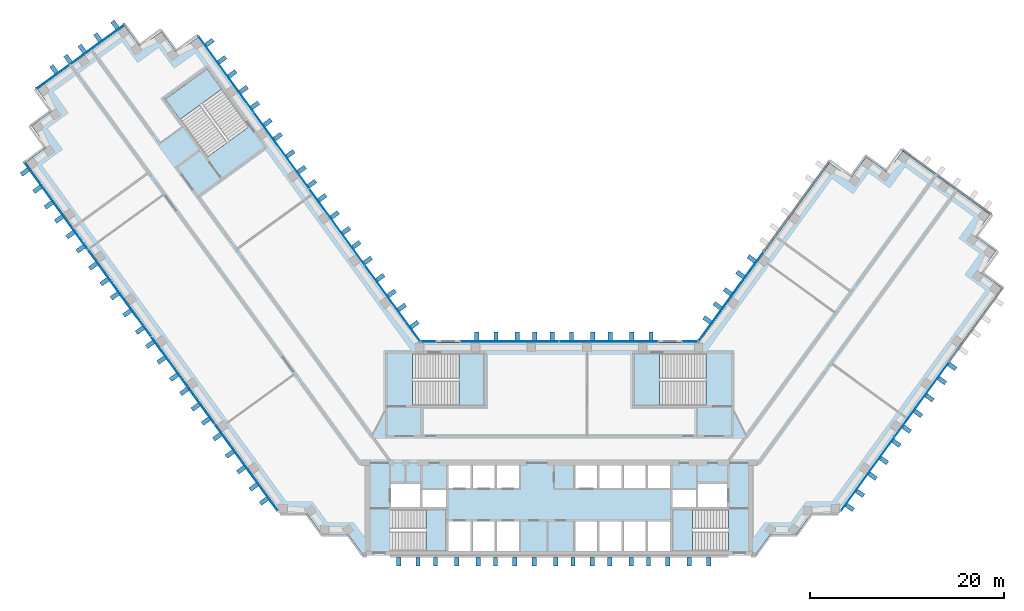
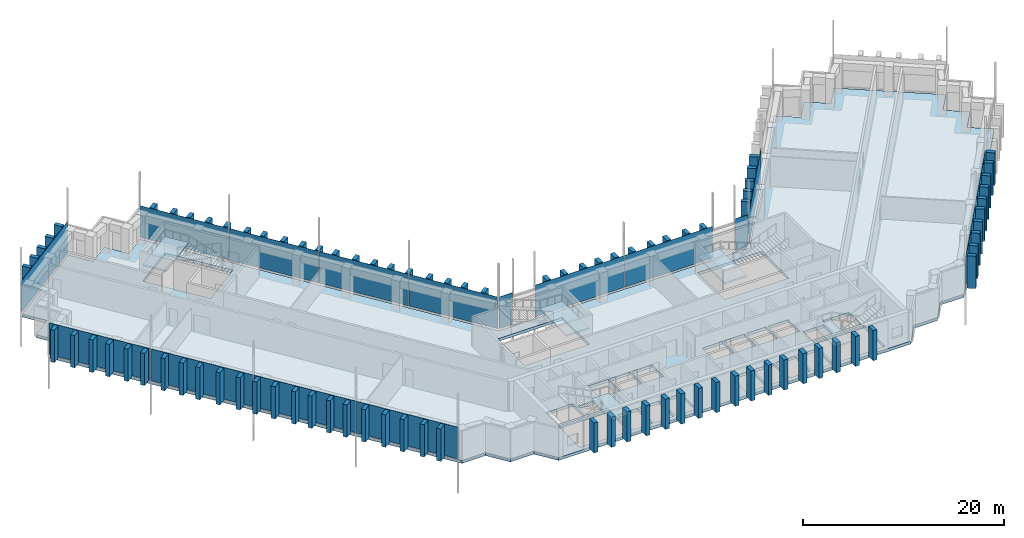
# One storey, part 7 of 16: 104 plates, 6 slabs, 13 elements without a shape of their own.
"""IFC4 building model written with IfcOpenShell, lengths in metres."""

from ifc_helpers import new_model, si_unit, direction, frame, origin, origin_2d, place, context, subcontext, project, spatial, polyline, rectangle, outline, extrude, material, layer, layer_set, type_object, element, aggregate, save


model = new_model("IFC4")

# Units and contexts
model_context = context("Model", 3, precision=1e-05, world=origin(), true_north=direction((0.0, 1.0)))
body_context = subcontext(model_context, "Body", "Model", "MODEL_VIEW")
ifc_project = project(units=[si_unit("LENGTHUNIT", "METRE"), si_unit("AREAUNIT", "SQUARE_METRE"), si_unit("VOLUMEUNIT", "CUBIC_METRE"), si_unit("PLANEANGLEUNIT", "RADIAN"), si_unit("MASSUNIT", "GRAM", prefix="KILO")], contexts=[model_context])

# Site, building, storey
site_placement = place(None, origin())
site = spatial("IfcSite", under=ifc_project, at=site_placement, CompositionType="ELEMENT")
building_placement = place(site_placement, origin())
building = spatial("IfcBuilding", under=site, at=building_placement, Name="Quipu Civic Tower", CompositionType="ELEMENT")
storey_placement = place(building_placement, frame((0.0, 0.0, 113.0)))
storey = spatial("IfcBuildingStorey", under=building, at=storey_placement, Name="L26", CompositionType="ELEMENT", Elevation=113.0)

# Slab
ifc_material_1 = material(Name="Concrete C40/50", Category="concrete")
ifc_layer_1 = layer(ifc_material_1, 0.35009765625)
ifc_layer_set_1 = layer_set([ifc_layer_1], Name="Concrete C40/50")
slab_type_1 = type_object("IfcSlabType", Name="Floor slab 350 C40/50", PredefinedType="FLOOR", material=ifc_layer_set_1)
slab_1_placement = place(storey_placement, frame((0.0, 0.0, -0.35009765625)))
element("IfcSlab", 1, at=slab_1_placement, inside=storey, type_object=slab_type_1, Name="Floor slab L26", PredefinedType="FLOOR", context=body_context, shape_type="SweptSolid", body=[
    extrude(outline(polyline([(27.909912109375, 29.60498046875), (30.094970703125, 28.014892578125), (31.68505859375, 30.199951171875), (33.864990234375, 28.614990234375), (35.455078125, 30.800048828125), (44.514892578125, 24.215087890625), (42.929931640625, 22.030029296875), (45.114990234375, 20.445068359375), (43.52490234375, 18.260009765625), (45.7099609375, 16.669921875), (28.780029296875, -6.6298828125), (26.080078125, -6.6298828125), (24.489990234375, -8.81494140625), (21.7900390625, -8.81494140625), (20.205078125, -11.0), (-20.205078125, -11.0), (-21.7900390625, -8.81494140625), (-24.489990234375, -8.81494140625), (-26.080078125, -6.6298828125), (-28.780029296875, -6.6298828125), (-55.114990234375, 29.614990234375), (-52.929931640625, 31.205078125), (-54.514892578125, 33.389892578125), (-52.3349609375, 34.97509765625), (-53.919921875, 37.159912109375), (-44.860107421875, 43.739990234375), (-43.27001953125, 41.56005859375), (-41.0849609375, 43.14501953125), (-39.5, 40.9599609375), (-37.31494140625, 42.550048828125), (-14.39501953125, 11.0), (14.39501953125, 11.0), (27.909912109375, 29.60498046875)]), holes=[polyline([(-11.449951171875, -7.5), (-11.449951171875, -10.5), (-9.14990234375, -10.5), (-9.14990234375, -7.5), (-11.449951171875, -7.5)]), polyline([(-8.949951171875, -7.5), (-8.949951171875, -10.5), (-6.64990234375, -10.5), (-6.64990234375, -7.5), (-8.949951171875, -7.5)]), polyline([(-6.449951171875, -7.5), (-6.449951171875, -10.5), (-4.14990234375, -10.5), (-4.14990234375, -7.5), (-6.449951171875, -7.5)]), polyline([(-11.705078125, -10.4951171875), (-11.705078125, -6.2548828125), (-17.4951171875, -6.2548828125), (-17.4951171875, -10.4951171875), (-11.705078125, -10.4951171875)]), polyline([(-11.699951171875, -4.25), (-14.10009765625, -4.25), (-14.10009765625, -6.0), (-11.699951171875, -6.0), (-11.699951171875, -4.25)]), polyline([(-17.35009765625, -3.60009765625), (-17.35009765625, -6.0), (-14.35009765625, -6.0), (-14.35009765625, -3.60009765625), (-17.35009765625, -3.60009765625)]), polyline([(-9.14990234375, -1.699951171875), (-11.449951171875, -1.699951171875), (-11.449951171875, -4.0), (-9.14990234375, -4.0), (-9.14990234375, -1.699951171875)]), polyline([(-6.64990234375, -1.699951171875), (-8.949951171875, -1.699951171875), (-8.949951171875, -4.0), (-6.64990234375, -4.0), (-6.64990234375, -1.699951171875)]), polyline([(-6.449951171875, -1.699951171875), (-6.449951171875, -4.0), (-4.14990234375, -4.0), (-4.14990234375, -1.699951171875), (-6.449951171875, -1.699951171875)]), polyline([(3.949951171875, -1.699951171875), (1.64990234375, -1.699951171875), (1.64990234375, -4.0), (3.949951171875, -4.0), (3.949951171875, -1.699951171875)]), polyline([(-7.7548828125, 4.5048828125), (-7.7548828125, 9.844970703125), (-15.14501953125, 9.844970703125), (-15.14501953125, 4.5048828125), (-7.7548828125, 4.5048828125)]), polyline([(-40.68505859375, 36.135009765625), (-36.344970703125, 30.159912109375), (-32.02490234375, 33.300048828125), (-36.364990234375, 39.27490234375), (-40.68505859375, 36.135009765625)]), polyline([(3.949951171875, -7.5), (1.64990234375, -7.5), (1.64990234375, -10.5), (3.949951171875, -10.5), (3.949951171875, -7.5)]), polyline([(6.449951171875, -7.5), (4.14990234375, -7.5), (4.14990234375, -10.5), (6.449951171875, -10.5), (6.449951171875, -7.5)]), polyline([(6.64990234375, -7.5), (6.64990234375, -10.5), (8.949951171875, -10.5), (8.949951171875, -7.5), (6.64990234375, -7.5)]), polyline([(11.449951171875, -7.5), (9.14990234375, -7.5), (9.14990234375, -10.5), (11.449951171875, -10.5), (11.449951171875, -7.5)]), polyline([(11.705078125, -6.2548828125), (11.705078125, -10.4951171875), (17.4951171875, -10.4951171875), (17.4951171875, -6.2548828125), (11.705078125, -6.2548828125)]), polyline([(11.699951171875, -4.25), (11.699951171875, -6.0), (14.10009765625, -6.0), (14.10009765625, -4.25), (11.699951171875, -4.25)]), polyline([(17.35009765625, -3.60009765625), (14.35009765625, -3.60009765625), (14.35009765625, -6.0), (17.35009765625, -6.0), (17.35009765625, -3.60009765625)]), polyline([(6.449951171875, -1.699951171875), (4.14990234375, -1.699951171875), (4.14990234375, -4.0), (6.449951171875, -4.0), (6.449951171875, -1.699951171875)]), polyline([(6.64990234375, -1.699951171875), (6.64990234375, -4.0), (8.949951171875, -4.0), (8.949951171875, -1.699951171875), (6.64990234375, -1.699951171875)]), polyline([(11.449951171875, -1.699951171875), (9.14990234375, -1.699951171875), (9.14990234375, -4.0), (11.449951171875, -4.0), (11.449951171875, -1.699951171875)]), polyline([(7.7548828125, 9.844970703125), (7.7548828125, 4.5048828125), (15.14501953125, 4.5048828125), (15.14501953125, 9.844970703125), (7.7548828125, 9.844970703125)])]), origin(), (0.0, 0.0, 1.0), 0.35009765625),
])

# Curtain wall, plates
ifc_material_2 = material(Name="Insulated glass unit", Category="glass")
curtain_wall_type = type_object("IfcCurtainWallType", Name="Office curtain wall CW1", PredefinedType="NOTDEFINED", material=ifc_material_2)
curtain_wall_1_placement = place(storey_placement, origin())
curtain_wall_1 = element("IfcCurtainWall", 2, at=curtain_wall_1_placement, inside=storey, type_object=curtain_wall_type, Name="Office curtain wall CW1 L25 run 1", PredefinedType="NOTDEFINED")
ifc_material_3 = material(Name="Insulated glass unit", Category="glass")
ifc_layer_2 = layer(ifc_material_3, 0.028076171875)
ifc_layer_set_2 = layer_set([ifc_layer_2], Name="Insulated glass unit")
plate_type_1 = type_object("IfcPlateType", Name="Glass panel CW1", PredefinedType="CURTAIN_PANEL", material=ifc_layer_set_2)
plate_1_placement = place(storey_placement, frame((-17.224609375, 15.064697265625, 0.16015625), z_axis=(0.0, 0.0, 1.0), x_axis=(-0.587785887566, 0.809016532822, 0.0)))
plate_1 = element("IfcPlate", 3, at=plate_1_placement, type_object=plate_type_1, Name="CW1 panel 1.2", PredefinedType="CURTAIN_PANEL", context=body_context, shape_type="SweptSolid", body=[
    extrude(rectangle(XDim=9.64111328125, YDim=0.028076171875, at=origin_2d()), origin(), (0.0, 0.0, 1.0), 3.840087890625),
])
plate_2_placement = place(storey_placement, frame((-22.950439453125, 22.9453125, 0.16015625), z_axis=(0.0, 0.0, 1.0), x_axis=(-0.587785887566, 0.809016532822, 0.0)))
plate_2 = element("IfcPlate", 4, at=plate_2_placement, type_object=plate_type_1, Name="CW1 panel 2.2", PredefinedType="CURTAIN_PANEL", context=body_context, shape_type="SweptSolid", body=[
    extrude(rectangle(XDim=9.68115234375, YDim=0.028076171875, at=origin_2d()), origin(), (0.0, 0.0, 1.0), 3.840087890625),
])
plate_3_placement = place(storey_placement, frame((-28.687744140625, 30.84228515625, 0.16015625), z_axis=(0.0, 0.0, 1.0), x_axis=(-0.587785887566, 0.809016532822, 0.0)))
plate_3 = element("IfcPlate", 5, at=plate_3_placement, type_object=plate_type_1, Name="CW1 panel 3.2", PredefinedType="CURTAIN_PANEL", context=body_context, shape_type="SweptSolid", body=[
    extrude(rectangle(XDim=9.68115234375, YDim=0.028076171875, at=origin_2d()), origin(), (0.0, 0.0, 1.0), 3.840087890625),
])
plate_4_placement = place(storey_placement, frame((-34.413330078125, 38.722900390625, 0.16015625), z_axis=(0.0, 0.0, 1.0), x_axis=(-0.587785887566, 0.809016532822, 0.0)))
plate_4 = element("IfcPlate", 6, at=plate_4_placement, type_object=plate_type_1, Name="CW1 panel 4.2", PredefinedType="CURTAIN_PANEL", context=body_context, shape_type="SweptSolid", body=[
    extrude(rectangle(XDim=9.64111328125, YDim=0.028076171875, at=origin_2d()), origin(), (0.0, 0.0, 1.0), 3.840087890625),
])
aggregate(curtain_wall_1, [plate_1, plate_2, plate_3, plate_4])

# Curtain wall, plate
curtain_wall_2_placement = place(storey_placement, origin())
curtain_wall_2 = element("IfcCurtainWall", 7, at=curtain_wall_2_placement, inside=storey, type_object=curtain_wall_type, Name="Office curtain wall CW1 L25 run 6", PredefinedType="NOTDEFINED")
plate_5_placement = place(storey_placement, frame((-49.447998046875, 40.53173828125, 0.16015625), z_axis=(0.0, 0.0, 1.0), x_axis=(-0.809019348124, -0.587782012621, 0.0)))
plate_5 = element("IfcPlate", 8, at=plate_5_placement, type_object=plate_type_1, Name="CW1 panel 1.2", PredefinedType="CURTAIN_PANEL", context=body_context, shape_type="SweptSolid", body=[
    extrude(rectangle(XDim=11.239990234375, YDim=0.028076171875, at=origin_2d()), origin(), (0.0, 0.0, 1.0), 3.840087890625),
])
aggregate(curtain_wall_2, [plate_5])

# Curtain wall, plates
curtain_wall_3_placement = place(storey_placement, origin())
curtain_wall_3 = element("IfcCurtainWall", 9, at=curtain_wall_3_placement, inside=storey, type_object=curtain_wall_type, Name="Office curtain wall CW1 L25 run 11", PredefinedType="NOTDEFINED")
plate_6_placement = place(storey_placement, frame((-51.967529296875, 25.114990234375, 0.16015625), z_axis=(0.0, 0.0, 1.0), x_axis=(0.587785559869, -0.809016770908, 0.0)))
plate_6 = element("IfcPlate", 10, at=plate_6_placement, type_object=plate_type_1, Name="CW1 panel 1.2", PredefinedType="CURTAIN_PANEL", context=body_context, shape_type="SweptSolid", body=[
    extrude(rectangle(XDim=11.022705078125, YDim=0.028076171875, at=origin_2d()), origin(), (0.0, 0.0, 1.0), 3.840087890625),
])
plate_7_placement = place(storey_placement, frame((-45.4296875, 16.11669921875, 0.16015625), z_axis=(0.0, 0.0, 1.0), x_axis=(0.587785559869, -0.809016770908, 0.0)))
plate_7 = element("IfcPlate", 11, at=plate_7_placement, type_object=plate_type_1, Name="CW1 panel 2.2", PredefinedType="CURTAIN_PANEL", context=body_context, shape_type="SweptSolid", body=[
    extrude(rectangle(XDim=11.062744140625, YDim=0.028076171875, at=origin_2d()), origin(), (0.0, 0.0, 1.0), 3.840087890625),
])
plate_8_placement = place(storey_placement, frame((-38.880126953125, 7.101806640625, 0.16015625), z_axis=(0.0, 0.0, 1.0), x_axis=(0.587785559869, -0.809016770908, 0.0)))
plate_8 = element("IfcPlate", 12, at=plate_8_placement, type_object=plate_type_1, Name="CW1 panel 3.2", PredefinedType="CURTAIN_PANEL", context=body_context, shape_type="SweptSolid", body=[
    extrude(rectangle(XDim=11.062744140625, YDim=0.028076171875, at=origin_2d()), origin(), (0.0, 0.0, 1.0), 3.840087890625),
])
plate_9_placement = place(storey_placement, frame((-32.342529296875, -1.896484375, 0.16015625), z_axis=(0.0, 0.0, 1.0), x_axis=(0.587785559869, -0.809016770908, 0.0)))
plate_9 = element("IfcPlate", 13, at=plate_9_placement, type_object=plate_type_1, Name="CW1 panel 4.2", PredefinedType="CURTAIN_PANEL", context=body_context, shape_type="SweptSolid", body=[
    extrude(rectangle(XDim=11.022705078125, YDim=0.028076171875, at=origin_2d()), origin(), (0.0, 0.0, 1.0), 3.840087890625),
])
aggregate(curtain_wall_3, [plate_6, plate_7, plate_8, plate_9])

curtain_wall_4_placement = place(storey_placement, origin())
curtain_wall_4 = element("IfcCurtainWall", 14, at=curtain_wall_4_placement, inside=storey, type_object=curtain_wall_type, Name="Office curtain wall CW1 L25 run 23", PredefinedType="NOTDEFINED")
plate_10_placement = place(storey_placement, frame((31.86669921875, -2.551513671875, 0.16015625), z_axis=(0.0, 0.0, 1.0), x_axis=(0.587785375786, 0.809016904652, 0.0)))
plate_10 = element("IfcPlate", 15, at=plate_10_placement, type_object=plate_type_1, Name="CW1 panel 1.2", PredefinedType="CURTAIN_PANEL", context=body_context, shape_type="SweptSolid", body=[
    extrude(rectangle(XDim=9.403564453125, YDim=0.028076171875, at=origin_2d()), origin(), (0.0, 0.0, 1.0), 3.840087890625),
])
plate_11_placement = place(storey_placement, frame((37.45263671875, 5.13720703125, 0.16015625), z_axis=(0.0, 0.0, 1.0), x_axis=(0.587785375786, 0.809016904652, 0.0)))
plate_11 = element("IfcPlate", 16, at=plate_11_placement, type_object=plate_type_1, Name="CW1 panel 2.2", PredefinedType="CURTAIN_PANEL", context=body_context, shape_type="SweptSolid", body=[
    extrude(rectangle(XDim=9.443603515625, YDim=0.028076171875, at=origin_2d()), origin(), (0.0, 0.0, 1.0), 3.840087890625),
])
aggregate(curtain_wall_4, [plate_10, plate_11])

# Curtain wall, plate
curtain_wall_5_placement = place(storey_placement, origin())
curtain_wall_5 = element("IfcCurtainWall", 17, at=curtain_wall_5_placement, inside=storey, type_object=curtain_wall_type, Name="Office curtain wall CW1 L25 run 30", PredefinedType="NOTDEFINED")
plate_12_placement = place(storey_placement, frame((17.7421875, 15.777099609375, 0.16015625), z_axis=(0.0, 0.0, 1.0), x_axis=(-0.587788727052, -0.809014469803, 0.0)))
plate_12 = element("IfcPlate", 18, at=plate_12_placement, type_object=plate_type_1, Name="CW1 panel 2.2", PredefinedType="CURTAIN_PANEL", context=body_context, shape_type="SweptSolid", body=[
    extrude(rectangle(XDim=11.402099609375, YDim=0.028076171875, at=origin_2d()), origin(), (0.0, 0.0, 1.0), 3.840087890625),
])
aggregate(curtain_wall_5, [plate_12])

curtain_wall_6_placement = place(storey_placement, origin())
curtain_wall_6 = element("IfcCurtainWall", 19, at=curtain_wall_6_placement, inside=storey, type_object=curtain_wall_type, Name="Office curtain wall CW1 L25 run 31", PredefinedType="NOTDEFINED")
plate_13_placement = place(storey_placement, frame((13.49951171875, 11.10009765625, 0.16015625), z_axis=(0.0, 0.0, 1.0), x_axis=(-1.0, 0.0, 0.0)))
plate_13 = element("IfcPlate", 20, at=plate_13_placement, type_object=plate_type_1, Name="CW1 panel 1.2", PredefinedType="CURTAIN_PANEL", context=body_context, shape_type="SweptSolid", body=[
    extrude(rectangle(XDim=1.529296875, YDim=0.028076171875, at=origin_2d()), origin(), (0.0, 0.0, 1.0), 3.840087890625),
])
aggregate(curtain_wall_6, [plate_13])

# Curtain wall, plates
curtain_wall_7_placement = place(storey_placement, origin())
curtain_wall_7 = element("IfcCurtainWall", 21, at=curtain_wall_7_placement, inside=storey, type_object=curtain_wall_type, Name="Office curtain wall CW1 L25 run 33", PredefinedType="NOTDEFINED")
plate_14_placement = place(storey_placement, frame((5.11181640625, 11.10009765625, 0.16015625), z_axis=(0.0, 0.0, 1.0), x_axis=(-1.0, 0.0, 0.0)))
plate_14 = element("IfcPlate", 22, at=plate_14_placement, type_object=plate_type_1, Name="CW1 panel 1.2", PredefinedType="CURTAIN_PANEL", context=body_context, shape_type="SweptSolid", body=[
    extrude(rectangle(XDim=10.1435546875, YDim=0.028076171875, at=origin_2d()), origin(), (0.0, 0.0, 1.0), 3.840087890625),
])
plate_15_placement = place(storey_placement, frame((-5.11181640625, 11.10009765625, 0.16015625), z_axis=(0.0, 0.0, 1.0), x_axis=(-1.0, 0.0, 0.0)))
plate_15 = element("IfcPlate", 23, at=plate_15_placement, type_object=plate_type_1, Name="CW1 panel 2.2", PredefinedType="CURTAIN_PANEL", context=body_context, shape_type="SweptSolid", body=[
    extrude(rectangle(XDim=10.1435546875, YDim=0.028076171875, at=origin_2d()), origin(), (0.0, 0.0, 1.0), 3.840087890625),
])
aggregate(curtain_wall_7, [plate_14, plate_15])

# Curtain wall, plate
curtain_wall_8_placement = place(storey_placement, origin())
curtain_wall_8 = element("IfcCurtainWall", 24, at=curtain_wall_8_placement, inside=storey, type_object=curtain_wall_type, Name="Office curtain wall CW1 L25 run 35", PredefinedType="NOTDEFINED")
plate_16_placement = place(storey_placement, frame((-13.49951171875, 11.10009765625, 0.16015625), z_axis=(0.0, 0.0, 1.0), x_axis=(-1.0, 0.0, 0.0)))
plate_16 = element("IfcPlate", 25, at=plate_16_placement, type_object=plate_type_1, Name="CW1 panel 1.2", PredefinedType="CURTAIN_PANEL", context=body_context, shape_type="SweptSolid", body=[
    extrude(rectangle(XDim=1.529296875, YDim=0.028076171875, at=origin_2d()), origin(), (0.0, 0.0, 1.0), 3.840087890625),
])
aggregate(curtain_wall_8, [plate_16])

# Plates
ifc_material_4 = material(Name="Precast concrete C40/50", Category="concrete")
plate_type_2 = type_object("IfcPlateType", Name="Precast fin F1", PredefinedType="SHEET", material=ifc_material_4)
for number, where, z_axis, x_axis, name in (
    (26, (-14.942138671875, 12.8583984375, 0.080078125), (0.0, 0.0, 1.0), (-0.587784944053, 0.809017218324, 0.0), "Precast fin F1 L26.P04.1"),
    (27, (-16.235107421875, 14.638427734375, 0.080078125), (0.0, 0.0, 1.0), (-0.587784944053, 0.809017218324, 0.0), "Precast fin F1 L26.P04.2"),
    (28, (-17.293212890625, 16.094482421875, 0.080078125), (0.0, 0.0, 1.0), (-0.587784944053, 0.809017218324, 0.0), "Precast fin F1 L26.P04.3"),
    (29, (-18.46875, 17.712646484375, 0.080078125), (0.0, 0.0, 1.0), (-0.587784944053, 0.809017218324, 0.0), "Precast fin F1 L26.P04.4"),
    (30, (-19.761962890625, 19.492431640625, 0.080078125), (0.0, 0.0, 1.0), (-0.587784944053, 0.809017218324, 0.0), "Precast fin F1 L26.P04.5"),
    (31, (-20.9375, 21.110595703125, 0.080078125), (0.0, 0.0, 1.0), (-0.587784944053, 0.809017218324, 0.0), "Precast fin F1 L26.P04.6"),
    (32, (-21.995361328125, 22.566650390625, 0.080078125), (0.0, 0.0, 1.0), (-0.587784944053, 0.809017218324, 0.0), "Precast fin F1 L26.P04.7"),
    (33, (-23.171142578125, 24.184814453125, 0.080078125), (0.0, 0.0, 1.0), (-0.587784944053, 0.809017218324, 0.0), "Precast fin F1 L26.P04.8"),
    (34, (-24.464111328125, 25.964599609375, 0.080078125), (0.0, 0.0, 1.0), (-0.587784944053, 0.809017218324, 0.0), "Precast fin F1 L26.P04.9"),
    (35, (-25.522216796875, 27.4208984375, 0.080078125), (0.0, 0.0, 1.0), (-0.587784944053, 0.809017218324, 0.0), "Precast fin F1 L26.P04.10"),
    (36, (-26.580078125, 28.876953125, 0.080078125), (0.0, 0.0, 1.0), (-0.587784944053, 0.809017218324, 0.0), "Precast fin F1 L26.P04.11"),
    (37, (-27.755859375, 30.4951171875, 0.080078125), (0.0, 0.0, 1.0), (-0.587784944053, 0.809017218324, 0.0), "Precast fin F1 L26.P04.12"),
    (38, (-29.048828125, 32.27490234375, 0.080078125), (0.0, 0.0, 1.0), (-0.587784944053, 0.809017218324, 0.0), "Precast fin F1 L26.P04.13"),
    (39, (-30.10693359375, 33.731201171875, 0.080078125), (0.0, 0.0, 1.0), (-0.587784944053, 0.809017218324, 0.0), "Precast fin F1 L26.P04.14"),
    (40, (-31.400146484375, 35.510986328125, 0.080078125), (0.0, 0.0, 1.0), (-0.587784944053, 0.809017218324, 0.0), "Precast fin F1 L26.P04.15"),
    (41, (-32.57568359375, 37.129150390625, 0.080078125), (0.0, 0.0, 1.0), (-0.587784944053, 0.809017218324, 0.0), "Precast fin F1 L26.P04.16"),
    (42, (-33.751220703125, 38.7470703125, 0.080078125), (0.0, 0.0, 1.0), (-0.587784944053, 0.809017218324, 0.0), "Precast fin F1 L26.P04.17"),
    (43, (-34.80908203125, 40.203369140625, 0.080078125), (0.0, 0.0, 1.0), (-0.587784944053, 0.809017218324, 0.0), "Precast fin F1 L26.P04.18"),
    (44, (-36.102294921875, 41.983154296875, 0.080078125), (0.0, 0.0, 1.0), (-0.587784944053, 0.809017218324, 0.0), "Precast fin F1 L26.P04.19"),
    (45, (-45.867919921875, 43.812744140625, 0.080078125), (0.0, 0.0, 1.0), (-0.809021318545, -0.587779300537, 0.0), "Precast fin F1 L26.P09.1"),
    (46, (-47.647705078125, 42.51953125, 0.080078125), (0.0, 0.0, 1.0), (-0.809021318545, -0.587779300537, 0.0), "Precast fin F1 L26.P09.2"),
    (47, (-49.265625, 41.343994140625, 0.080078125), (0.0, 0.0, 1.0), (-0.809021318545, -0.587779300537, 0.0), "Precast fin F1 L26.P09.3"),
    (48, (-50.721923828125, 40.2861328125, 0.080078125), (0.0, 0.0, 1.0), (-0.809021318545, -0.587779300537, 0.0), "Precast fin F1 L26.P09.4"),
    (49, (-52.17822265625, 39.22802734375, 0.080078125), (0.0, 0.0, 1.0), (-0.809021318545, -0.587779300537, 0.0), "Precast fin F1 L26.P09.5"),
    (50, (-55.184814453125, 28.607421875, 0.080078125), (0.0, 0.0, 1.0), (0.587785716149, -0.809016657363, 0.0), "Precast fin F1 L26.P14.1"),
    (51, (-53.8916015625, 26.82763671875, 0.080078125), (0.0, 0.0, 1.0), (0.587785716149, -0.809016657363, 0.0), "Precast fin F1 L26.P14.2"),
    (52, (-52.716064453125, 25.20947265625, 0.080078125), (0.0, 0.0, 1.0), (0.587785716149, -0.809016657363, 0.0), "Precast fin F1 L26.P14.3"),
    (53, (-51.657958984375, 23.75341796875, 0.080078125), (0.0, 0.0, 1.0), (0.587785716149, -0.809016657363, 0.0), "Precast fin F1 L26.P14.4"),
    (54, (-50.482421875, 22.13525390625, 0.080078125), (0.0, 0.0, 1.0), (0.587785716149, -0.809016657363, 0.0), "Precast fin F1 L26.P14.5"),
    (55, (-49.42431640625, 20.67919921875, 0.080078125), (0.0, 0.0, 1.0), (0.587785716149, -0.809016657363, 0.0), "Precast fin F1 L26.P14.6"),
    (56, (-48.13134765625, 18.899169921875, 0.080078125), (0.0, 0.0, 1.0), (0.587785716149, -0.809016657363, 0.0), "Precast fin F1 L26.P14.7"),
    (57, (-46.955810546875, 17.28125, 0.080078125), (0.0, 0.0, 1.0), (0.587785716149, -0.809016657363, 0.0), "Precast fin F1 L26.P14.8"),
    (58, (-45.897705078125, 15.824951171875, 0.080078125), (0.0, 0.0, 1.0), (0.587785716149, -0.809016657363, 0.0), "Precast fin F1 L26.P14.9"),
    (59, (-44.6044921875, 14.045166015625, 0.080078125), (0.0, 0.0, 1.0), (0.587785716149, -0.809016657363, 0.0), "Precast fin F1 L26.P14.10"),
    (60, (-43.3115234375, 12.265380859375, 0.080078125), (0.0, 0.0, 1.0), (0.587785716149, -0.809016657363, 0.0), "Precast fin F1 L26.P14.11"),
    (61, (-42.25341796875, 10.80908203125, 0.080078125), (0.0, 0.0, 1.0), (0.587785716149, -0.809016657363, 0.0), "Precast fin F1 L26.P14.12"),
    (62, (-41.077880859375, 9.191162109375, 0.080078125), (0.0, 0.0, 1.0), (0.587785716149, -0.809016657363, 0.0), "Precast fin F1 L26.P14.13"),
    (63, (-39.78466796875, 7.4111328125, 0.080078125), (0.0, 0.0, 1.0), (0.587785716149, -0.809016657363, 0.0), "Precast fin F1 L26.P14.14"),
    (64, (-38.726806640625, 5.955078125, 0.080078125), (0.0, 0.0, 1.0), (0.587785716149, -0.809016657363, 0.0), "Precast fin F1 L26.P14.15"),
    (65, (-37.55126953125, 4.3369140625, 0.080078125), (0.0, 0.0, 1.0), (0.587785716149, -0.809016657363, 0.0), "Precast fin F1 L26.P14.16"),
    (66, (-36.4931640625, 2.880615234375, 0.080078125), (0.0, 0.0, 1.0), (0.587785716149, -0.809016657363, 0.0), "Precast fin F1 L26.P14.17"),
    (67, (-35.317626953125, 1.2626953125, 0.080078125), (0.0, 0.0, 1.0), (0.587785716149, -0.809016657363, 0.0), "Precast fin F1 L26.P14.18"),
    (68, (-34.0244140625, -0.51708984375, 0.080078125), (0.0, 0.0, 1.0), (0.587785716149, -0.809016657363, 0.0), "Precast fin F1 L26.P14.19"),
    (69, (-32.848876953125, -2.13525390625, 0.080078125), (0.0, 0.0, 1.0), (0.587785716149, -0.809016657363, 0.0), "Precast fin F1 L26.P14.20"),
    (70, (-31.5556640625, -3.9150390625, 0.080078125), (0.0, 0.0, 1.0), (0.587785716149, -0.809016657363, 0.0), "Precast fin F1 L26.P14.21"),
    (71, (-30.497802734375, -5.371337890625, 0.080078125), (0.0, 0.0, 1.0), (0.587785716149, -0.809016657363, 0.0), "Precast fin F1 L26.P14.22"),
):
    element("IfcPlate", number, at=place(storey_placement, frame(where, z_axis=z_axis, x_axis=x_axis)), inside=storey, type_object=plate_type_2, Name=name, PredefinedType="SHEET", context=body_context, shape_type="SweptSolid", body=[
        extrude(rectangle(XDim=0.449951171875, YDim=0.89990234375, at=origin_2d()), origin(), (0.0, 0.0, 1.0), 3.919921875),
    ])
for number, where, z_axis, x_axis, name in (
    (72, (-16.574951171875, -11.637939453125, 0.0), (0.0, 0.0, 1.0), (1.0, 0.0, 0.0), "Precast fin F1 L26.P21.1"),
    (73, (-14.574951171875, -11.637939453125, 0.0), (0.0, 0.0, 1.0), (1.0, 0.0, 0.0), "Precast fin F1 L26.P21.2"),
    (74, (-12.77490234375, -11.637939453125, 0.0), (0.0, 0.0, 1.0), (1.0, 0.0, 0.0), "Precast fin F1 L26.P21.3"),
    (75, (-10.574951171875, -11.637939453125, 0.0), (0.0, 0.0, 1.0), (1.0, 0.0, 0.0), "Precast fin F1 L26.P21.4"),
    (76, (-8.375, -11.637939453125, 0.0), (0.0, 0.0, 1.0), (1.0, 0.0, 0.0), "Precast fin F1 L26.P21.5"),
    (77, (-6.574951171875, -11.637939453125, 0.0), (0.0, 0.0, 1.0), (1.0, 0.0, 0.0), "Precast fin F1 L26.P21.6"),
    (78, (-4.574951171875, -11.637939453125, 0.0), (0.0, 0.0, 1.0), (1.0, 0.0, 0.0), "Precast fin F1 L26.P21.7"),
    (79, (-2.574951171875, -11.637939453125, 0.0), (0.0, 0.0, 1.0), (1.0, 0.0, 0.0), "Precast fin F1 L26.P21.8"),
    (80, (-0.375, -11.637939453125, 0.0), (0.0, 0.0, 1.0), (1.0, 0.0, 0.0), "Precast fin F1 L26.P21.9"),
    (81, (1.425048828125, -11.637939453125, 0.0), (0.0, 0.0, 1.0), (1.0, 0.0, 0.0), "Precast fin F1 L26.P21.10"),
    (82, (3.425048828125, -11.637939453125, 0.0), (0.0, 0.0, 1.0), (1.0, 0.0, 0.0), "Precast fin F1 L26.P21.11"),
    (83, (5.22509765625, -11.637939453125, 0.0), (0.0, 0.0, 1.0), (1.0, 0.0, 0.0), "Precast fin F1 L26.P21.12"),
    (84, (7.425048828125, -11.637939453125, 0.0), (0.0, 0.0, 1.0), (1.0, 0.0, 0.0), "Precast fin F1 L26.P21.13"),
    (85, (9.22509765625, -11.637939453125, 0.0), (0.0, 0.0, 1.0), (1.0, 0.0, 0.0), "Precast fin F1 L26.P21.14"),
    (86, (11.22509765625, -11.637939453125, 0.0), (0.0, 0.0, 1.0), (1.0, 0.0, 0.0), "Precast fin F1 L26.P21.15"),
    (87, (13.425048828125, -11.637939453125, 0.0), (0.0, 0.0, 1.0), (1.0, 0.0, 0.0), "Precast fin F1 L26.P21.16"),
    (88, (15.425048828125, -11.637939453125, 0.0), (0.0, 0.0, 1.0), (1.0, 0.0, 0.0), "Precast fin F1 L26.P21.17"),
):
    element("IfcPlate", number, at=place(storey_placement, frame(where, z_axis=z_axis, x_axis=x_axis)), inside=storey, type_object=plate_type_2, Name=name, PredefinedType="SHEET", context=body_context, shape_type="SweptSolid", body=[
        extrude(rectangle(XDim=0.449951171875, YDim=0.89990234375, at=origin_2d()), origin(), (0.0, 0.0, 1.0), 3.64990234375),
    ])
for number, where, z_axis, x_axis, name in (
    (89, (30.014404296875, -6.036376953125, 0.080078125), (0.0, 0.0, 1.0), (0.587785620359, 0.809016726959, 0.0), "Precast fin F1 L26.P27.1"),
    (90, (31.072509765625, -4.580078125, 0.080078125), (0.0, 0.0, 1.0), (0.587785620359, 0.809016726959, 0.0), "Precast fin F1 L26.P27.2"),
    (91, (32.36572265625, -2.80029296875, 0.080078125), (0.0, 0.0, 1.0), (0.587785620359, 0.809016726959, 0.0), "Precast fin F1 L26.P27.3"),
    (92, (33.541259765625, -1.18212890625, 0.080078125), (0.0, 0.0, 1.0), (0.587785620359, 0.809016726959, 0.0), "Precast fin F1 L26.P27.4"),
    (93, (34.834228515625, 0.59765625, 0.080078125), (0.0, 0.0, 1.0), (0.587785620359, 0.809016726959, 0.0), "Precast fin F1 L26.P27.5"),
    (94, (35.892333984375, 2.0537109375, 0.080078125), (0.0, 0.0, 1.0), (0.587785620359, 0.809016726959, 0.0), "Precast fin F1 L26.P27.6"),
    (95, (37.06787109375, 3.671875, 0.080078125), (0.0, 0.0, 1.0), (0.587785620359, 0.809016726959, 0.0), "Precast fin F1 L26.P27.7"),
    (96, (38.243408203125, 5.289794921875, 0.080078125), (0.0, 0.0, 1.0), (0.587785620359, 0.809016726959, 0.0), "Precast fin F1 L26.P27.8"),
    (97, (39.53662109375, 7.06982421875, 0.080078125), (0.0, 0.0, 1.0), (0.587785620359, 0.809016726959, 0.0), "Precast fin F1 L26.P27.9"),
    (98, (40.5947265625, 8.52587890625, 0.080078125), (0.0, 0.0, 1.0), (0.587785620359, 0.809016726959, 0.0), "Precast fin F1 L26.P27.10"),
    (99, (19.876708984375, 19.650390625, 0.080078125), (0.0, 0.0, 1.0), (-0.587787133119, -0.809015627871, 0.0), "Precast fin F1 L26.P34.7"),
    (100, (18.701171875, 18.032470703125, 0.080078125), (0.0, 0.0, 1.0), (-0.587787133119, -0.809015627871, 0.0), "Precast fin F1 L26.P34.8"),
    (101, (17.407958984375, 16.25244140625, 0.080078125), (0.0, 0.0, 1.0), (-0.587787133119, -0.809015627871, 0.0), "Precast fin F1 L26.P34.9"),
    (102, (16.349853515625, 14.79638671875, 0.080078125), (0.0, 0.0, 1.0), (-0.587787133119, -0.809015627871, 0.0), "Precast fin F1 L26.P34.10"),
    (103, (15.2919921875, 13.340087890625, 0.080078125), (0.0, 0.0, 1.0), (-0.587787133119, -0.809015627871, 0.0), "Precast fin F1 L26.P34.11"),
    (104, (9.47509765625, 11.64990234375, 0.080078125), (0.0, 0.0, 1.0), (-1.0, 0.0, 0.0), "Precast fin F1 L26.P37.1"),
    (105, (7.47509765625, 11.64990234375, 0.080078125), (0.0, 0.0, 1.0), (-1.0, 0.0, 0.0), "Precast fin F1 L26.P37.2"),
    (106, (5.27490234375, 11.64990234375, 0.080078125), (0.0, 0.0, 1.0), (-1.0, 0.0, 0.0), "Precast fin F1 L26.P37.3"),
    (107, (3.47509765625, 11.64990234375, 0.080078125), (0.0, 0.0, 1.0), (-1.0, 0.0, 0.0), "Precast fin F1 L26.P37.4"),
    (108, (1.27490234375, 11.64990234375, 0.080078125), (0.0, 0.0, 1.0), (-1.0, 0.0, 0.0), "Precast fin F1 L26.P37.5"),
    (109, (-0.72509765625, 11.64990234375, 0.080078125), (0.0, 0.0, 1.0), (-1.0, 0.0, 0.0), "Precast fin F1 L26.P37.6"),
    (110, (-2.52490234375, 11.64990234375, 0.080078125), (0.0, 0.0, 1.0), (-1.0, 0.0, 0.0), "Precast fin F1 L26.P37.7"),
    (111, (-4.324951171875, 11.64990234375, 0.080078125), (0.0, 0.0, 1.0), (-1.0, 0.0, 0.0), "Precast fin F1 L26.P37.8"),
    (112, (-6.52490234375, 11.64990234375, 0.080078125), (0.0, 0.0, 1.0), (-1.0, 0.0, 0.0), "Precast fin F1 L26.P37.9"),
    (113, (-8.52490234375, 11.64990234375, 0.080078125), (0.0, 0.0, 1.0), (-1.0, 0.0, 0.0), "Precast fin F1 L26.P37.10"),
):
    element("IfcPlate", number, at=place(storey_placement, frame(where, z_axis=z_axis, x_axis=x_axis)), inside=storey, type_object=plate_type_2, Name=name, PredefinedType="SHEET", context=body_context, shape_type="SweptSolid", body=[
        extrude(rectangle(XDim=0.449951171875, YDim=0.89990234375, at=origin_2d()), origin(), (0.0, 0.0, 1.0), 3.919921875),
    ])

# Stair, slab
ifc_material_5 = material(Name="Concrete C40/50", Category="concrete")
stair_type_1 = type_object("IfcStairType", Name="Half turn stair 2000", PredefinedType="HALF_TURN_STAIR", material=ifc_material_5)
stair_1_placement = place(storey_placement, origin())
stair_1 = element("IfcStair", 114, at=stair_1_placement, inside=storey, type_object=stair_type_1, Name="Exit stair 1", PredefinedType="HALF_TURN_STAIR")
ifc_material_6 = material(Name="Concrete C40/50", Category="concrete")
ifc_layer_3 = layer(ifc_material_6, 0.199951171875)
ifc_layer_set_3 = layer_set([ifc_layer_3], Name="Concrete C40/50")
slab_type_2 = type_object("IfcSlabType", Name="Stair landing 200", PredefinedType="LANDING", material=ifc_layer_set_3)
slab_2_placement = place(storey_placement, frame((0.0, 0.0, 1.800048828125)))
slab_2 = element("IfcSlab", 115, at=slab_2_placement, type_object=slab_type_2, Name="ST-1 landing 1", PredefinedType="LANDING", context=body_context, shape_type="SweptSolid", body=[
    extrude(outline(polyline([(-13.780029296875, -10.5), (-11.699951171875, -10.5), (-11.699951171875, -6.25), (-13.780029296875, -6.25), (-13.780029296875, -10.5)])), origin(), (0.0, 0.0, 1.0), 0.199951171875),
])
aggregate(stair_1, [slab_2])

stair_2_placement = place(storey_placement, origin())
stair_2 = element("IfcStair", 116, at=stair_2_placement, inside=storey, type_object=stair_type_1, Name="Exit stair 2", PredefinedType="HALF_TURN_STAIR")
slab_3_placement = place(storey_placement, frame((0.0, 0.0, 1.800048828125)))
slab_3 = element("IfcSlab", 117, at=slab_3_placement, type_object=slab_type_2, Name="ST-2 landing 1", PredefinedType="LANDING", context=body_context, shape_type="SweptSolid", body=[
    extrude(outline(polyline([(13.780029296875, -6.25), (11.699951171875, -6.25), (11.699951171875, -10.5), (13.780029296875, -10.5), (13.780029296875, -6.25)])), origin(), (0.0, 0.0, 1.0), 0.199951171875),
])
aggregate(stair_2, [slab_3])

ifc_material_7 = material(Name="Concrete C40/50", Category="concrete")
stair_type_2 = type_object("IfcStairType", Name="Half turn stair 2600", PredefinedType="HALF_TURN_STAIR", material=ifc_material_7)
stair_3_placement = place(storey_placement, origin())
stair_3 = element("IfcStair", 118, at=stair_3_placement, inside=storey, type_object=stair_type_2, Name="Exit stair 3", PredefinedType="HALF_TURN_STAIR")
slab_4_placement = place(storey_placement, frame((0.0, 0.0, 1.800048828125)))
slab_4 = element("IfcSlab", 119, at=slab_4_placement, type_object=slab_type_2, Name="ST-3 landing 1", PredefinedType="LANDING", context=body_context, shape_type="SweptSolid", body=[
    extrude(outline(polyline([(-10.35009765625, 4.5), (-7.75, 4.5), (-7.75, 9.85009765625), (-10.35009765625, 9.85009765625), (-10.35009765625, 4.5)])), origin(), (0.0, 0.0, 1.0), 0.199951171875),
])
aggregate(stair_3, [slab_4])

stair_4_placement = place(storey_placement, origin())
stair_4 = element("IfcStair", 120, at=stair_4_placement, inside=storey, type_object=stair_type_2, Name="Exit stair 4", PredefinedType="HALF_TURN_STAIR")
slab_5_placement = place(storey_placement, frame((0.0, 0.0, 1.800048828125)))
slab_5 = element("IfcSlab", 121, at=slab_5_placement, type_object=slab_type_2, Name="ST-4 landing 1", PredefinedType="LANDING", context=body_context, shape_type="SweptSolid", body=[
    extrude(outline(polyline([(10.35009765625, 9.85009765625), (7.75, 9.85009765625), (7.75, 4.5), (10.35009765625, 4.5), (10.35009765625, 9.85009765625)])), origin(), (0.0, 0.0, 1.0), 0.199951171875),
])
aggregate(stair_4, [slab_5])

stair_5_placement = place(storey_placement, origin())
stair_5 = element("IfcStair", 122, at=stair_5_placement, inside=storey, type_object=stair_type_2, Name="Exit stair 6", PredefinedType="HALF_TURN_STAIR")
slab_6_placement = place(storey_placement, frame((0.0, 0.0, 1.800048828125)))
slab_6 = element("IfcSlab", 123, at=slab_6_placement, type_object=slab_type_2, Name="ST-6 landing 1", PredefinedType="LANDING", context=body_context, shape_type="SweptSolid", body=[
    extrude(outline(polyline([(-34.837158203125, 37.179443359375), (-36.365478515625, 39.282958984375), (-40.69384765625, 36.138427734375), (-39.16552734375, 34.034912109375), (-34.837158203125, 37.179443359375)])), origin(), (0.0, 0.0, 1.0), 0.199951171875),
])
aggregate(stair_5, [slab_6])

save(model, "model.ifc")
